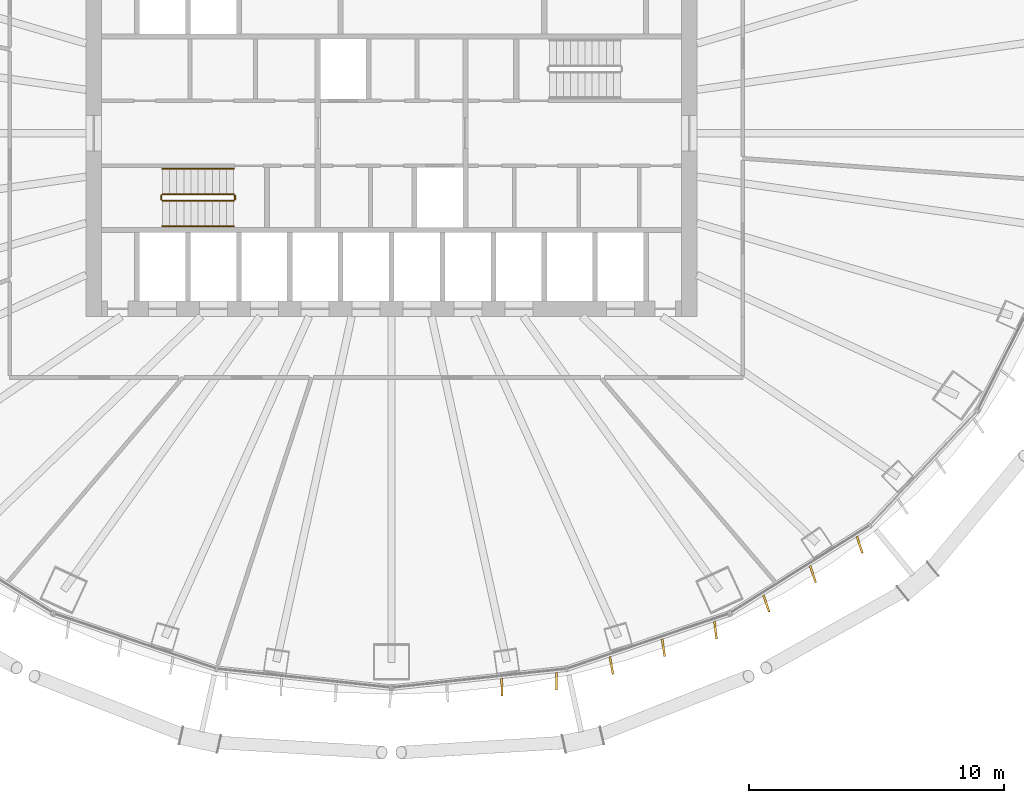
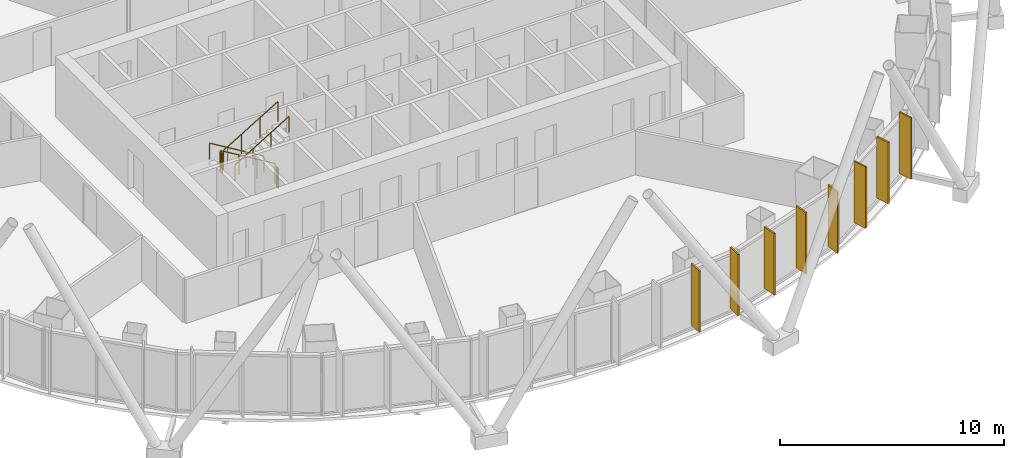
# One storey, part 16 of 18: 8 shading devices, 6 railings.
"""IFC4 building model written with IfcOpenShell, lengths in metres."""

from ifc_helpers import new_model, si_unit, direction, frame, origin, origin_2d, place, context, subcontext, project, spatial, rectangle, circle, extrude, material, layer, layer_set, type_object, element, save


model = new_model("IFC4")

# Units and contexts
model_context = context("Model", 3, precision=1e-05, world=origin(), true_north=direction((0.0, 1.0)))
body_context = subcontext(model_context, "Body", "Model", "MODEL_VIEW")
ifc_project = project(units=[si_unit("LENGTHUNIT", "METRE"), si_unit("AREAUNIT", "SQUARE_METRE"), si_unit("VOLUMEUNIT", "CUBIC_METRE"), si_unit("PLANEANGLEUNIT", "RADIAN"), si_unit("MASSUNIT", "GRAM", prefix="KILO")], contexts=[model_context])

# Site, building, storey
site_placement = place(None, origin())
site = spatial("IfcSite", under=ifc_project, at=site_placement, CompositionType="ELEMENT")
building_placement = place(site_placement, origin())
building = spatial("IfcBuilding", under=site, at=building_placement, Name="Siaravel Broadcast Tower", CompositionType="ELEMENT")
storey_placement = place(building_placement, frame((0.0, 0.0, 81.5)))
storey = spatial("IfcBuildingStorey", under=building, at=storey_placement, Name="L19", CompositionType="ELEMENT", Elevation=81.5)

# Shading devices
ifc_material_1 = material(Name="Bronze anodised aluminium", Category="aluminium")
ifc_layer = layer(ifc_material_1, 0.080078125)
ifc_layer_set = layer_set([ifc_layer], Name="Bronze anodised aluminium")
shading_device_type = type_object("IfcShadingDeviceType", Name="Bronze fin zone 1", PredefinedType="USERDEFINED", material=ifc_layer_set)
for number, where, z_axis, x_axis, name in (
    (1, (4.334716796875, -21.7626953125, 0.300048828125), (0.0, 0.0, 1.0), (0.028570642, -0.999591776, 0.0), "Bronze fin L19-55"),
    (2, (6.478759765625, -21.5302734375, 0.300048828125), (0.0, 0.0, 1.0), (-0.008136635, -0.999966897, 0.0), "Bronze fin L19-56"),
    (3, (8.63818359375, -20.910400390625, 0.300048828125), (0.0, 0.0, 1.0), (0.176584854, -0.984285421, 0.0), "Bronze fin L19-57"),
    (4, (10.68212890625, -20.215087890625, 0.300048828125), (0.0, 0.0, 1.0), (0.146694219, -0.989181887, 0.0), "Bronze fin L19-58"),
    (5, (12.72802734375, -19.51904296875, 0.300048828125), (0.0, 0.0, 1.0), (0.121810444, -0.992553382, 0.0), "Bronze fin L19-59"),
    (6, (14.725341796875, -18.478515625, 0.300048828125), (0.0, 0.0, 1.0), (0.330145385, -0.943930095, 0.0), "Bronze fin L19-60"),
    (7, (16.557861328125, -17.325439453125, 0.300048828125), (0.0, 0.0, 1.0), (0.317549606, -0.948241661, 0.0), "Bronze fin L19-61"),
    (8, (18.392578125, -16.171630859375, 0.300048828125), (0.0, 0.0, 1.0), (0.311852396, -0.950130561, 0.0), "Bronze fin L19-62"),
):
    element("IfcShadingDevice", number, at=place(storey_placement, frame(where, z_axis=z_axis, x_axis=x_axis)), inside=storey, type_object=shading_device_type, Name=name, ObjectType="FIN", PredefinedType="USERDEFINED", context=body_context, shape_type="SweptSolid", body=[
        extrude(rectangle(XDim=0.699951171875, YDim=0.080078125, at=origin_2d()), origin(), (0.0, 0.0, 1.0), 3.35009765625),
    ])

# Railings
ifc_material_2 = material(Name="Stainless steel 316L", Category="steel")
railing_type_1 = type_object("IfcRailingType", Name="Stair guard 1100", PredefinedType="GUARDRAIL", material=ifc_material_2)
railing_1_placement = place(storey_placement, frame((-6.199951171875, -2.39990234375, 0.168212890625)))
element("IfcRailing", 9, at=railing_1_placement, inside=storey, type_object=railing_type_1, Name="L19 ST-1 stair guard 1", PredefinedType="GUARDRAIL", context=body_context, shape_type="SweptSolid", body=[
    extrude(circle(Radius=0.02392578125, at=origin_2d()), frame((0.0, 0.0, 1.076171875), z_axis=(-0.857242211, 0.0, 0.514913383), x_axis=(0.0, -1.0, 0.0)), (0.0, 0.0, 1.0), 3.266357421875),
    extrude(circle(Radius=0.02099609375, at=origin_2d()), origin(), (0.0, 0.0, 1.0), 1.052001953125),
    extrude(circle(Radius=0.02099609375, at=origin_2d()), frame((-0.933349609375, 0.0, 0.560546875)), (0.0, 0.0, 1.0), 1.052001953125),
    extrude(circle(Radius=0.02099609375, at=origin_2d()), frame((-1.86669921875, 0.0, 1.121337890625)), (0.0, 0.0, 1.0), 1.052001953125),
    extrude(circle(Radius=0.02099609375, at=origin_2d()), frame((-2.800048828125, 0.0, 1.681884765625)), (0.0, 0.0, 1.0), 1.052001953125),
])
railing_2_placement = place(storey_placement, frame((-9.050048828125, -2.449951171875, 1.85009765625)))
element("IfcRailing", 10, at=railing_2_placement, inside=storey, type_object=railing_type_1, Name="L19 ST-1 stair guard 2", PredefinedType="GUARDRAIL", context=body_context, shape_type="SweptSolid", body=[
    extrude(circle(Radius=0.02392578125, at=origin_2d()), frame((0.0, 0.0, 1.076171875), z_axis=(0.0, -1.0, 0.0), x_axis=(1.0, 0.0, 0.0)), (0.0, 0.0, 1.0), 0.150146484375),
    extrude(circle(Radius=0.02099609375, at=origin_2d()), origin(), (0.0, 0.0, 1.0), 1.052001953125),
    extrude(circle(Radius=0.02099609375, at=origin_2d()), frame((0.0, -0.150146484375, 0.0)), (0.0, 0.0, 1.0), 1.052001953125),
])
railing_3_placement = place(storey_placement, frame((-9.0, -2.64990234375, 2.01806640625)))
element("IfcRailing", 11, at=railing_3_placement, inside=storey, type_object=railing_type_1, Name="L19 ST-1 stair guard 3", PredefinedType="GUARDRAIL", context=body_context, shape_type="SweptSolid", body=[
    extrude(circle(Radius=0.02392578125, at=origin_2d()), frame((0.0, 0.0, 1.076171875), z_axis=(0.857242211, 0.0, 0.514913383), x_axis=(0.0, 1.0, 0.0)), (0.0, 0.0, 1.0), 3.266357421875),
    extrude(circle(Radius=0.02099609375, at=origin_2d()), origin(), (0.0, 0.0, 1.0), 1.052001953125),
    extrude(circle(Radius=0.02099609375, at=origin_2d()), frame((0.933349609375, 0.0, 0.560546875)), (0.0, 0.0, 1.0), 1.052001953125),
    extrude(circle(Radius=0.02099609375, at=origin_2d()), frame((1.86669921875, 0.0, 1.121337890625)), (0.0, 0.0, 1.0), 1.052001953125),
    extrude(circle(Radius=0.02099609375, at=origin_2d()), frame((2.800048828125, 0.0, 1.681884765625)), (0.0, 0.0, 1.0), 1.052001953125),
])
railing_4_placement = place(storey_placement, frame((-6.14990234375, -2.449951171875, 0.0)))
element("IfcRailing", 12, at=railing_4_placement, inside=storey, type_object=railing_type_1, Name="L19 ST-1 stair guard 4", PredefinedType="GUARDRAIL", context=body_context, shape_type="SweptSolid", body=[
    extrude(circle(Radius=0.02392578125, at=origin_2d()), frame((0.0, 0.0, 1.076171875), z_axis=(0.0, -1.0, 0.0), x_axis=(1.0, 0.0, 0.0)), (0.0, 0.0, 1.0), 0.150146484375),
    extrude(circle(Radius=0.02099609375, at=origin_2d()), origin(), (0.0, 0.0, 1.0), 1.052001953125),
    extrude(circle(Radius=0.02099609375, at=origin_2d()), frame((0.0, -0.150146484375, 0.0)), (0.0, 0.0, 1.0), 1.052001953125),
])
railing_type_2 = type_object("IfcRailingType", Name="Stair handrail 900", PredefinedType="HANDRAIL", material=ifc_material_2)
railing_5_placement = place(storey_placement, frame((-6.199951171875, -1.39990234375, 0.168212890625)))
element("IfcRailing", 13, at=railing_5_placement, inside=storey, type_object=railing_type_2, Name="L19 ST-1 stair handrail 1", PredefinedType="HANDRAIL", context=body_context, shape_type="SweptSolid", body=[
    extrude(circle(Radius=0.02392578125, at=origin_2d()), frame((0.0, 0.0, 0.8759765625), z_axis=(-0.857242211, 0.0, 0.514913383), x_axis=(0.0, -1.0, 0.0)), (0.0, 0.0, 1.0), 3.266357421875),
    extrude(circle(Radius=0.02099609375, at=origin_2d()), origin(), (0.0, 0.0, 1.0), 0.851806640625),
    extrude(circle(Radius=0.02099609375, at=origin_2d()), frame((-0.933349609375, 0.0, 0.560546875)), (0.0, 0.0, 1.0), 0.851806640625),
    extrude(circle(Radius=0.02099609375, at=origin_2d()), frame((-1.86669921875, 0.0, 1.121337890625)), (0.0, 0.0, 1.0), 0.851806640625),
    extrude(circle(Radius=0.02099609375, at=origin_2d()), frame((-2.800048828125, 0.0, 1.681884765625)), (0.0, 0.0, 1.0), 0.851806640625),
])
railing_6_placement = place(storey_placement, frame((-9.0, -3.64990234375, 2.01806640625)))
element("IfcRailing", 14, at=railing_6_placement, inside=storey, type_object=railing_type_2, Name="L19 ST-1 stair handrail 2", PredefinedType="HANDRAIL", context=body_context, shape_type="SweptSolid", body=[
    extrude(circle(Radius=0.02392578125, at=origin_2d()), frame((0.0, 0.0, 0.8759765625), z_axis=(0.857242211, 0.0, 0.514913383), x_axis=(0.0, 1.0, 0.0)), (0.0, 0.0, 1.0), 3.266357421875),
    extrude(circle(Radius=0.02099609375, at=origin_2d()), origin(), (0.0, 0.0, 1.0), 0.851806640625),
    extrude(circle(Radius=0.02099609375, at=origin_2d()), frame((0.933349609375, 0.0, 0.560546875)), (0.0, 0.0, 1.0), 0.851806640625),
    extrude(circle(Radius=0.02099609375, at=origin_2d()), frame((1.86669921875, 0.0, 1.121337890625)), (0.0, 0.0, 1.0), 0.851806640625),
    extrude(circle(Radius=0.02099609375, at=origin_2d()), frame((2.800048828125, 0.0, 1.681884765625)), (0.0, 0.0, 1.0), 0.851806640625),
])

save(model, "model.ifc")
